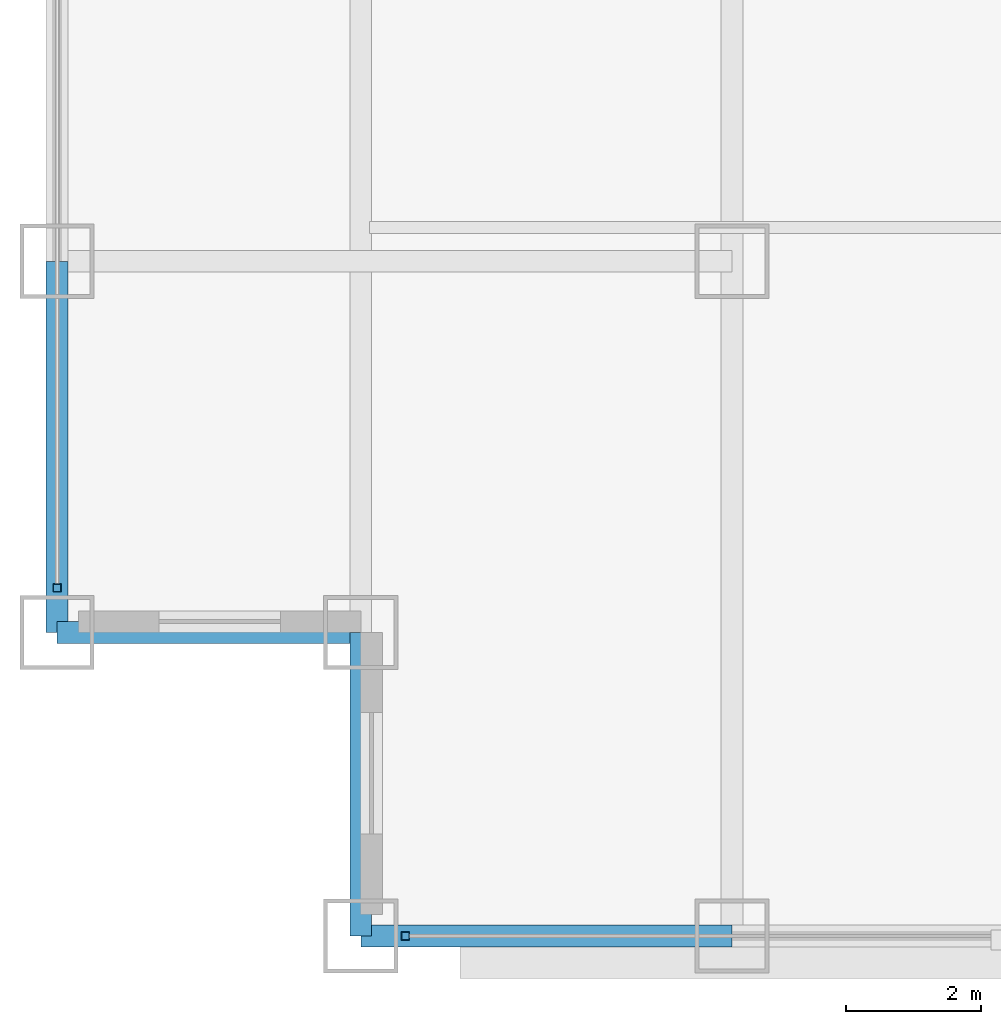
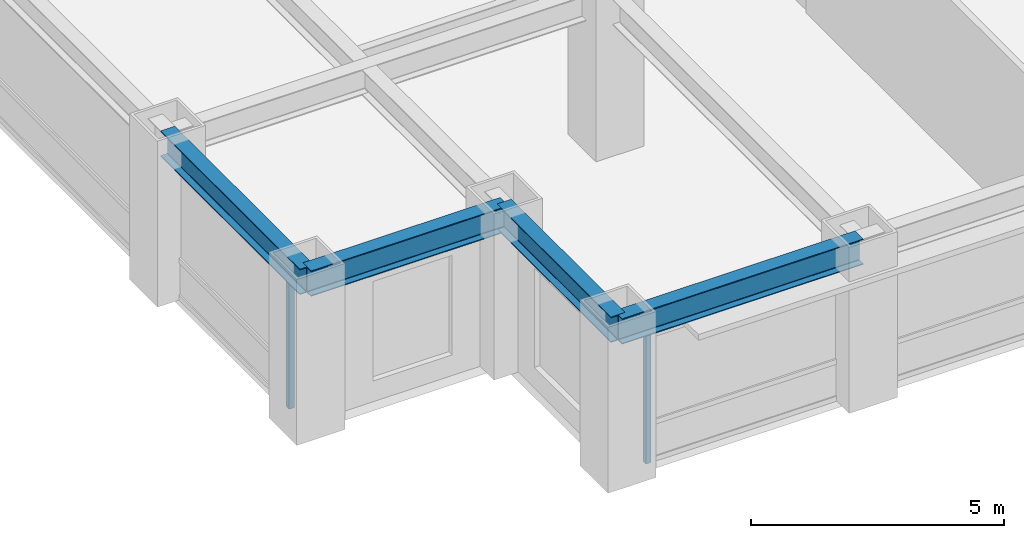
# One storey, part 2 of 28: 4 beams, 2 members, 2 elements without a shape of their own.
"""IFC4 building model written with IfcOpenShell, lengths in metres."""

from ifc_helpers import new_model, si_unit, direction, frame, origin, origin_2d, place, context, subcontext, project, spatial, hollow_rectangle, i_section, extrude, source, transform, mapped, material, material_profile, profile_set, type_object, element, aggregate, save


model = new_model("IFC4")

# Units and contexts
model_context = context("Model", 3, precision=1e-05, world=origin(), true_north=direction((0.0, 1.0)))
body_context = subcontext(model_context, "Body", "Model", "MODEL_VIEW")
ifc_project = project(units=[si_unit("LENGTHUNIT", "METRE"), si_unit("AREAUNIT", "SQUARE_METRE"), si_unit("VOLUMEUNIT", "CUBIC_METRE"), si_unit("PLANEANGLEUNIT", "RADIAN"), si_unit("MASSUNIT", "GRAM", prefix="KILO")], contexts=[model_context])

# Site, building, storey
site_placement = place(None, origin())
site = spatial("IfcSite", under=ifc_project, at=site_placement, CompositionType="ELEMENT")
building_placement = place(site_placement, origin())
building = spatial("IfcBuilding", under=site, at=building_placement, Name="Khorayat Bourse Tower", CompositionType="ELEMENT")
storey_placement = place(building_placement, frame((0.0, 0.0, 187.10009765625)))
storey = spatial("IfcBuildingStorey", under=building, at=storey_placement, Name="L43", CompositionType="ELEMENT", Elevation=187.10009765625)

# Beams
ifc_material_1 = material(Name="Steel ASTM A992 Grade 50", Category="steel")
ifc_material_profile_1 = material_profile(ifc_material_1, i_section(OverallWidth=0.324951171875, OverallDepth=0.615966796875, WebThickness=0.013916015625, FlangeThickness=0.021484375, FilletRadius=0.01611328125, at=origin_2d()), Name="W610X174")
ifc_profile_set_1 = profile_set([ifc_material_profile_1], Name="Steel ASTM A992 Grade 50")
beam_type = type_object("IfcBeamType", Name="BM-SPAN-610", PredefinedType="SPANDREL", material=ifc_profile_set_1)
shared_shape_1 = source(origin(), body_context, "Body", "SweptSolid", [
    extrude(i_section(OverallWidth=0.324951171875, OverallDepth=0.615966796875, WebThickness=0.013916015625, FlangeThickness=0.021484375, FilletRadius=0.01611328125, at=origin_2d()), origin(), (0.0, 0.0, 1.0), 5.5),
])
for number, where, z_axis, x_axis, name in (
    (1, (-25.5, -30.0, 3.471923828125), (1.0, 0.0, 0.0), (0.0, 1.0, 0.0), "L43 BM-SPAN-610 BM-L43-SPN-024"),
    (2, (-30.0, -25.5, 3.471923828125), (0.0, 1.0, 0.0), (-1.0, 0.0, 0.0), "L43 BM-SPAN-610 BM-L43-SPN-061"),
):
    element("IfcBeam", number, at=place(storey_placement, frame(where, z_axis=z_axis, x_axis=x_axis)), inside=storey, type_object=beam_type, Name=name, PredefinedType="SPANDREL", context=body_context, shape_type="MappedRepresentation", body=[
        mapped(shared_shape_1, transform((0.0, 0.0, 0.0), scale=1.0)),
    ])
shared_shape_2 = source(origin(), body_context, "Body", "SweptSolid", [
    extrude(i_section(OverallWidth=0.324951171875, OverallDepth=0.615966796875, WebThickness=0.013916015625, FlangeThickness=0.021484375, FilletRadius=0.01611328125, at=origin_2d()), origin(), (0.0, 0.0, 1.0), 4.5),
])
for number, where, z_axis, x_axis, name in (
    (3, (-30.0, -25.5, 3.471923828125), (1.0, 0.0, 0.0), (0.0, 1.0, 0.0), "L43 BM-SPAN-610 BM-L43-SPN-062"),
    (4, (-25.5, -30.0, 3.471923828125), (0.0, 1.0, 0.0), (-1.0, 0.0, 0.0), "L43 BM-SPAN-610 BM-L43-SPN-063"),
):
    element("IfcBeam", number, at=place(storey_placement, frame(where, z_axis=z_axis, x_axis=x_axis)), inside=storey, type_object=beam_type, Name=name, PredefinedType="SPANDREL", context=body_context, shape_type="MappedRepresentation", body=[
        mapped(shared_shape_2, transform((0.0, 0.0, 0.0), scale=1.0)),
    ])

# Curtain wall, member
ifc_material_2 = material(Name="Aluminium EN AW-6063 T6", Category="aluminium")
curtain_wall_type = type_object("IfcCurtainWallType", Name="CW-SYS-03", PredefinedType="NOTDEFINED", material=ifc_material_2)
curtain_wall_1_placement = place(storey_placement, origin())
curtain_wall_1 = element("IfcCurtainWall", 5, at=curtain_wall_1_placement, inside=storey, type_object=curtain_wall_type, Name="L43 Curtain Wall CW-L43-S1", PredefinedType="NOTDEFINED")
ifc_material_profile_2 = material_profile(ifc_material_2, hollow_rectangle(XDim=0.1201171875, YDim=0.1201171875, WallThickness=0.0048828125, at=origin_2d()), Name="ALU 120x120x5")
ifc_profile_set_2 = profile_set([ifc_material_profile_2], Name="Aluminium EN AW-6063 T6")
member_type = type_object("IfcMemberType", Name="CWM-VERT-120", PredefinedType="MULLION", material=ifc_profile_set_2)
shared_shape_3 = source(origin(), body_context, "Body", "SweptSolid", [
    extrude(hollow_rectangle(XDim=0.1201171875, YDim=0.1201171875, WallThickness=0.0048828125, at=origin_2d()), origin(), (0.0, 0.0, 1.0), 3.1298828125),
])
member_1_placement = place(storey_placement, frame((-24.840087890625, -30.0, 0.0), z_axis=(0.0, 0.0, 1.0), x_axis=(0.0, 1.0, 0.0)))
member_1 = element("IfcMember", 6, at=member_1_placement, type_object=member_type, Name="CW-L43-S1 Vertical Mullion 1", PredefinedType="MULLION", context=body_context, shape_type="MappedRepresentation", body=[
    mapped(shared_shape_3, transform((0.0, 0.0, 0.0), scale=1.0)),
])
aggregate(curtain_wall_1, [member_1])

curtain_wall_2_placement = place(storey_placement, origin())
curtain_wall_2 = element("IfcCurtainWall", 7, at=curtain_wall_2_placement, inside=storey, type_object=curtain_wall_type, Name="L43 Curtain Wall CW-L43-W1", PredefinedType="NOTDEFINED")
member_2_placement = place(storey_placement, frame((-30.0, -24.840087890625, 0.0), z_axis=(0.0, 0.0, 1.0), x_axis=(-1.0, 0.0, 0.0)))
member_2 = element("IfcMember", 8, at=member_2_placement, type_object=member_type, Name="CW-L43-W1 Vertical Mullion 1", PredefinedType="MULLION", context=body_context, shape_type="MappedRepresentation", body=[
    mapped(shared_shape_3, transform((0.0, 0.0, 0.0), scale=1.0)),
])
aggregate(curtain_wall_2, [member_2])

save(model, "model.ifc")
